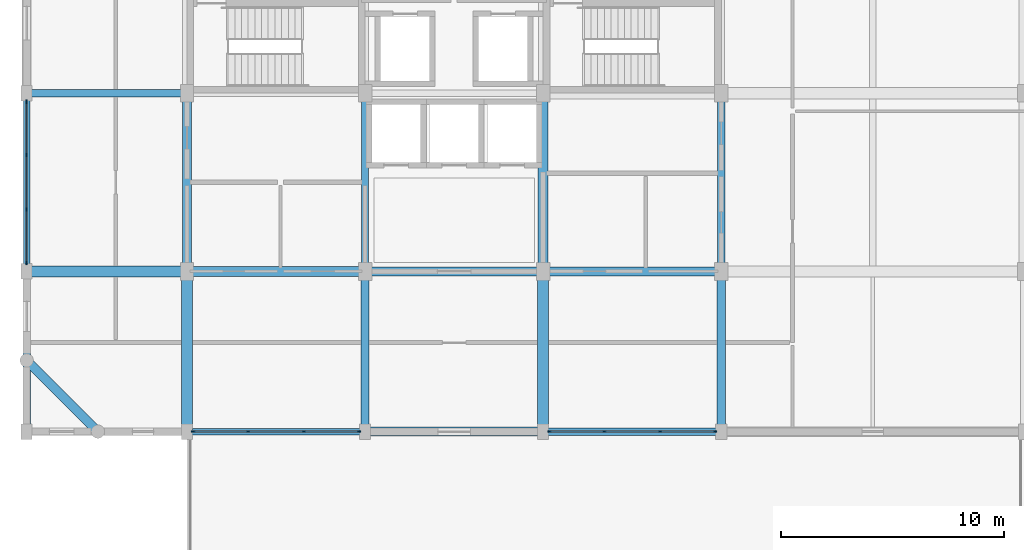
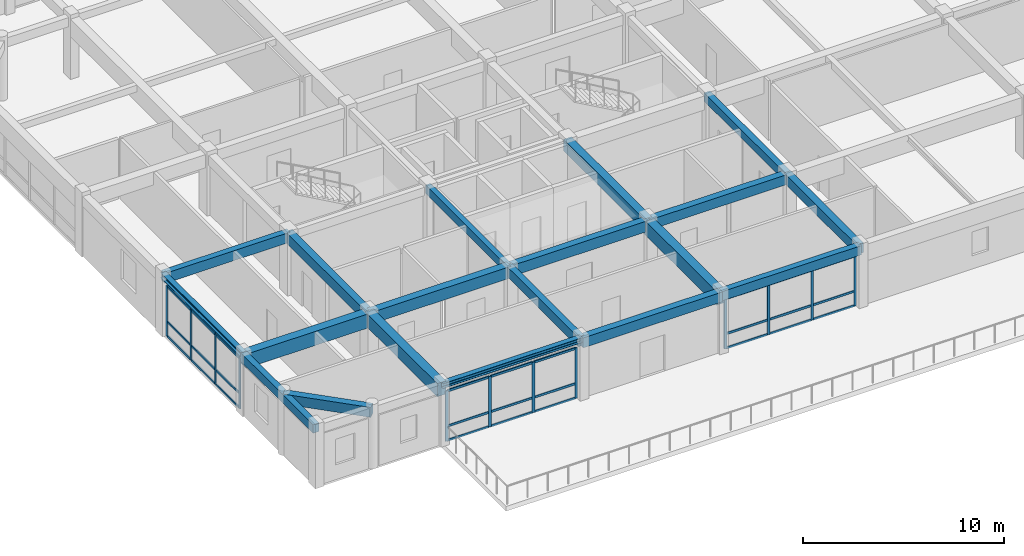
# One storey, part 2 of 13: 39 members, 19 beams, 3 elements without a shape of their own.
"""IFC4 building model written with IfcOpenShell, lengths in metres."""

from ifc_helpers import new_model, si_unit, direction, frame, origin, origin_2d, place, context, subcontext, project, spatial, rectangle, i_section, extrude, material, material_profile, profile_set, type_object, element, aggregate, save


model = new_model("IFC4")

# Units and contexts
model_context = context("Model", 3, precision=1e-05, world=origin(), true_north=direction((0.0, 1.0)))
body_context = subcontext(model_context, "Body", "Model", "MODEL_VIEW")
ifc_project = project(units=[si_unit("LENGTHUNIT", "METRE"), si_unit("AREAUNIT", "SQUARE_METRE"), si_unit("VOLUMEUNIT", "CUBIC_METRE"), si_unit("PLANEANGLEUNIT", "RADIAN"), si_unit("MASSUNIT", "GRAM", prefix="KILO")], contexts=[model_context])

# Site, building, storey
site_placement = place(None, origin())
site = spatial("IfcSite", under=ifc_project, at=site_placement, CompositionType="ELEMENT")
building_placement = place(site_placement, origin())
building = spatial("IfcBuilding", under=site, at=building_placement, Name="Vellmiral Cinema and Media Centre", CompositionType="ELEMENT")
storey_placement = place(building_placement, frame((0.0, 0.0, 50.89990234375)))
storey = spatial("IfcBuildingStorey", under=building, at=storey_placement, Name="L12", CompositionType="ELEMENT", Elevation=50.89990234375)

# Beams
ifc_material_1 = material(Name="Concrete C40/50", Category="concrete")
ifc_material_profile_1 = material_profile(ifc_material_1, rectangle(XDim=0.300048828125, YDim=0.5, at=origin_2d()), Name="RC 300x500")
ifc_profile_set_1 = profile_set([ifc_material_profile_1], Name="Concrete C40/50")
beam_type_1 = type_object("IfcBeamType", Name="BM-RC-300x500", PredefinedType="BEAM", material=ifc_profile_set_1)
beam_1_placement = place(storey_placement, frame((132.0, 79.199951171875, 3.405029296875), z_axis=(0.0, 1.0, 0.0), x_axis=(-1.0, 0.0, 0.0)))
element("IfcBeam", 1, at=beam_1_placement, inside=storey, type_object=beam_type_1, Name="Grid Beam L12-Y047", PredefinedType="BEAM", context=body_context, shape_type="SweptSolid", body=[
    extrude(rectangle(XDim=0.300048828125, YDim=0.5, at=origin_2d()), origin(), (0.0, 0.0, 1.0), 8.0),
])
ifc_material_2 = material(Name="Concrete C40/50", Category="concrete")
ifc_material_profile_2 = material_profile(ifc_material_2, rectangle(XDim=0.35009765625, YDim=0.5, at=origin_2d()), Name="RC 350x500")
ifc_profile_set_2 = profile_set([ifc_material_profile_2], Name="Concrete C40/50")
beam_type_2 = type_object("IfcBeamType", Name="BM-RC-350x500", PredefinedType="BEAM", material=ifc_profile_set_2)
beam_2_placement = place(storey_placement, frame((148.0, 79.199951171875, 3.405029296875), z_axis=(0.0, 1.0, 0.0), x_axis=(-1.0, 0.0, 0.0)))
element("IfcBeam", 2, at=beam_2_placement, inside=storey, type_object=beam_type_2, Name="Grid Beam L12-Y057", PredefinedType="BEAM", context=body_context, shape_type="SweptSolid", body=[
    extrude(rectangle(XDim=0.35009765625, YDim=0.5, at=origin_2d()), origin(), (0.0, 0.0, 1.0), 8.0),
])
ifc_material_3 = material(Name="Concrete C40/50", Category="concrete")
ifc_material_profile_3 = material_profile(ifc_material_3, rectangle(XDim=0.35009765625, YDim=0.60009765625, at=origin_2d()), Name="RC 350x600")
ifc_profile_set_3 = profile_set([ifc_material_profile_3], Name="Concrete C40/50")
beam_type_3 = type_object("IfcBeamType", Name="BM-RC-350x600", PredefinedType="BEAM", material=ifc_profile_set_3)
for number, where, z_axis, x_axis, name in (
    (3, (116.800048828125, 87.199951171875, 3.35498046875), (1.0, 0.0, 0.0), (0.0, 1.0, 0.0), "Grid Beam L12-X013"),
    (4, (132.0, 72.0, 3.35498046875), (0.0, 1.0, 0.0), (-1.0, 0.0, 0.0), "Grid Beam L12-Y046"),
):
    element("IfcBeam", number, at=place(storey_placement, frame(where, z_axis=z_axis, x_axis=x_axis)), inside=storey, type_object=beam_type_3, Name=name, PredefinedType="BEAM", context=body_context, shape_type="SweptSolid", body=[
        extrude(rectangle(XDim=0.35009765625, YDim=0.60009765625, at=origin_2d()), origin(), (0.0, 0.0, 1.0), 7.199951171875),
    ])
ifc_material_4 = material(Name="Concrete C40/50", Category="concrete")
ifc_material_profile_4 = material_profile(ifc_material_4, rectangle(XDim=0.39990234375, YDim=0.60009765625, at=origin_2d()), Name="RC 400x600")
ifc_profile_set_4 = profile_set([ifc_material_profile_4], Name="Concrete C40/50")
beam_type_4 = type_object("IfcBeamType", Name="BM-RC-400x600", PredefinedType="BEAM", material=ifc_profile_set_4)
beam_3_placement = place(storey_placement, frame((140.0, 79.199951171875, 3.35498046875), z_axis=(1.0, 0.0, 0.0), x_axis=(0.0, 1.0, 0.0)))
element("IfcBeam", 5, at=beam_3_placement, inside=storey, type_object=beam_type_4, Name="Grid Beam L12-X010", PredefinedType="BEAM", context=body_context, shape_type="SweptSolid", body=[
    extrude(rectangle(XDim=0.39990234375, YDim=0.60009765625, at=origin_2d()), origin(), (0.0, 0.0, 1.0), 8.0),
])
beam_4_placement = place(storey_placement, frame((148.0, 72.0, 3.35498046875), z_axis=(0.0, 1.0, 0.0), x_axis=(-1.0, 0.0, 0.0)))
element("IfcBeam", 6, at=beam_4_placement, inside=storey, type_object=beam_type_4, Name="Grid Beam L12-Y056", PredefinedType="BEAM", context=body_context, shape_type="SweptSolid", body=[
    extrude(rectangle(XDim=0.39990234375, YDim=0.60009765625, at=origin_2d()), origin(), (0.0, 0.0, 1.0), 7.199951171875),
])
ifc_material_5 = material(Name="Concrete C40/50", Category="concrete")
ifc_material_profile_5 = material_profile(ifc_material_5, rectangle(XDim=0.39990234375, YDim=0.64990234375, at=origin_2d()), Name="RC 400x650")
ifc_profile_set_5 = profile_set([ifc_material_profile_5], Name="Concrete C40/50")
beam_type_5 = type_object("IfcBeamType", Name="BM-RC-400x650", PredefinedType="BEAM", material=ifc_profile_set_5)
for number, where, z_axis, x_axis, name in (
    (7, (132.0, 79.199951171875, 3.330078125), (1.0, 0.0, 0.0), (0.0, 1.0, 0.0), "Grid Beam L12-X009"),
    (8, (124.0, 79.199951171875, 3.330078125), (0.0, 1.0, 0.0), (-1.0, 0.0, 0.0), "Grid Beam L12-Y042"),
):
    element("IfcBeam", number, at=place(storey_placement, frame(where, z_axis=z_axis, x_axis=x_axis)), inside=storey, type_object=beam_type_5, Name=name, PredefinedType="BEAM", context=body_context, shape_type="SweptSolid", body=[
        extrude(rectangle(XDim=0.39990234375, YDim=0.64990234375, at=origin_2d()), origin(), (0.0, 0.0, 1.0), 8.0),
    ])
ifc_material_6 = material(Name="Concrete C40/50", Category="concrete")
ifc_material_profile_6 = material_profile(ifc_material_6, rectangle(XDim=0.449951171875, YDim=0.699951171875, at=origin_2d()), Name="RC 450x700")
ifc_profile_set_6 = profile_set([ifc_material_profile_6], Name="Concrete C40/50")
beam_type_6 = type_object("IfcBeamType", Name="BM-RC-450x700", PredefinedType="BEAM", material=ifc_profile_set_6)
for number, where, z_axis, x_axis, name in (
    (9, (124.0, 79.199951171875, 3.30517578125), (1.0, 0.0, 0.0), (0.0, 1.0, 0.0), "Grid Beam L12-X008"),
    (10, (140.0, 79.199951171875, 3.30517578125), (0.0, 1.0, 0.0), (-1.0, 0.0, 0.0), "Grid Beam L12-Y052"),
):
    element("IfcBeam", number, at=place(storey_placement, frame(where, z_axis=z_axis, x_axis=x_axis)), inside=storey, type_object=beam_type_6, Name=name, PredefinedType="BEAM", context=body_context, shape_type="SweptSolid", body=[
        extrude(rectangle(XDim=0.449951171875, YDim=0.699951171875, at=origin_2d()), origin(), (0.0, 0.0, 1.0), 8.0),
    ])
ifc_material_7 = material(Name="Concrete C40/50", Category="concrete")
ifc_material_profile_7 = material_profile(ifc_material_7, rectangle(XDim=0.5, YDim=0.800048828125, at=origin_2d()), Name="RC 500x800")
ifc_profile_set_7 = profile_set([ifc_material_profile_7], Name="Concrete C40/50")
beam_type_7 = type_object("IfcBeamType", Name="BM-RC-500x800", PredefinedType="BEAM", material=ifc_profile_set_7)
beam_5_placement = place(storey_placement, frame((124.0, 72.0, 3.255126953125), z_axis=(0.0, 1.0, 0.0), x_axis=(-1.0, 0.0, 0.0)))
element("IfcBeam", 11, at=beam_5_placement, inside=storey, type_object=beam_type_7, Name="Grid Beam L12-Y041", PredefinedType="BEAM", context=body_context, shape_type="SweptSolid", body=[
    extrude(rectangle(XDim=0.5, YDim=0.800048828125, at=origin_2d()), origin(), (0.0, 0.0, 1.0), 7.199951171875),
])
ifc_material_8 = material(Name="Concrete C40/50", Category="concrete")
ifc_material_profile_8 = material_profile(ifc_material_8, rectangle(XDim=0.5, YDim=0.85009765625, at=origin_2d()), Name="RC 500x850")
ifc_profile_set_8 = profile_set([ifc_material_profile_8], Name="Concrete C40/50")
beam_type_8 = type_object("IfcBeamType", Name="BM-RC-500x850", PredefinedType="BEAM", material=ifc_profile_set_8)
for number, where, z_axis, x_axis, name in (
    (12, (116.800048828125, 79.199951171875, 3.22998046875), (1.0, 0.0, 0.0), (0.0, 1.0, 0.0), "Grid Beam L12-X007"),
    (13, (140.0, 72.0, 3.22998046875), (0.0, 1.0, 0.0), (-1.0, 0.0, 0.0), "Grid Beam L12-Y051"),
):
    element("IfcBeam", number, at=place(storey_placement, frame(where, z_axis=z_axis, x_axis=x_axis)), inside=storey, type_object=beam_type_8, Name=name, PredefinedType="BEAM", context=body_context, shape_type="SweptSolid", body=[
        extrude(rectangle(XDim=0.5, YDim=0.85009765625, at=origin_2d()), origin(), (0.0, 0.0, 1.0), 7.199951171875),
    ])

# Curtain wall, members
ifc_material_9 = material(Name="Thermally Broken Aluminium and Triple Glazing", Category="aluminium")
curtain_wall_type_1 = type_object("IfcCurtainWallType", Name="CW-TOWER-MID-E", PredefinedType="USERDEFINED", material=ifc_material_9)
curtain_wall_1_placement = place(storey_placement, origin())
curtain_wall_1 = element("IfcCurtainWall", 14, at=curtain_wall_1_placement, inside=storey, type_object=curtain_wall_type_1, Name="Curtain Wall L12-B003", ObjectType="UNITISED CURTAIN WALL", PredefinedType="USERDEFINED")
ifc_material_10 = material(Name="Thermally Broken Anodised Aluminium", Category="aluminium")
ifc_material_profile_9 = material_profile(ifc_material_10, rectangle(XDim=0.06494140625, YDim=0.159912109375, at=origin_2d()), Name="MULL 65x160")
ifc_profile_set_9 = profile_set([ifc_material_profile_9], Name="Thermally Broken Anodised Aluminium")
member_type_1 = type_object("IfcMemberType", Name="CWM-65x160", PredefinedType="MULLION", material=ifc_profile_set_9)
member_1_placement = place(storey_placement, frame((124.282470703125, 72.0, 0.0), z_axis=(0.0, 0.0, 1.0), x_axis=(0.0, 1.0, 0.0)))
member_1 = element("IfcMember", 15, at=member_1_placement, type_object=member_type_1, Name="CW-07 mullion 1", PredefinedType="MULLION", context=body_context, shape_type="SweptSolid", body=[
    extrude(rectangle(XDim=0.06494140625, YDim=0.159912109375, at=origin_2d()), origin(), (0.0, 0.0, 1.0), 3.06005859375),
])
member_2_placement = place(storey_placement, frame((126.75, 72.0, 0.0), z_axis=(0.0, 0.0, 1.0), x_axis=(0.0, 1.0, 0.0)))
member_2 = element("IfcMember", 16, at=member_2_placement, type_object=member_type_1, Name="CW-07 mullion 2", PredefinedType="MULLION", context=body_context, shape_type="SweptSolid", body=[
    extrude(rectangle(XDim=0.06494140625, YDim=0.159912109375, at=origin_2d()), origin(), (0.0, 0.0, 1.0), 3.06005859375),
])
member_3_placement = place(storey_placement, frame((129.25, 72.0, 0.0), z_axis=(0.0, 0.0, 1.0), x_axis=(0.0, 1.0, 0.0)))
member_3 = element("IfcMember", 17, at=member_3_placement, type_object=member_type_1, Name="CW-07 mullion 3", PredefinedType="MULLION", context=body_context, shape_type="SweptSolid", body=[
    extrude(rectangle(XDim=0.06494140625, YDim=0.159912109375, at=origin_2d()), origin(), (0.0, 0.0, 1.0), 3.06005859375),
])
member_4_placement = place(storey_placement, frame((131.717529296875, 72.0, 0.0), z_axis=(0.0, 0.0, 1.0), x_axis=(0.0, 1.0, 0.0)))
member_4 = element("IfcMember", 18, at=member_4_placement, type_object=member_type_1, Name="CW-07 mullion 4", PredefinedType="MULLION", context=body_context, shape_type="SweptSolid", body=[
    extrude(rectangle(XDim=0.06494140625, YDim=0.159912109375, at=origin_2d()), origin(), (0.0, 0.0, 1.0), 3.06005859375),
])

curtain_wall_2_placement = place(storey_placement, origin())
curtain_wall_2 = element("IfcCurtainWall", 19, at=curtain_wall_2_placement, inside=storey, type_object=curtain_wall_type_1, Name="Curtain Wall L12-B005", ObjectType="UNITISED CURTAIN WALL", PredefinedType="USERDEFINED")
member_5_placement = place(storey_placement, frame((140.282470703125, 72.0, 0.0), z_axis=(0.0, 0.0, 1.0), x_axis=(0.0, 1.0, 0.0)))
member_5 = element("IfcMember", 20, at=member_5_placement, type_object=member_type_1, Name="CW-07 mullion 1", PredefinedType="MULLION", context=body_context, shape_type="SweptSolid", body=[
    extrude(rectangle(XDim=0.06494140625, YDim=0.159912109375, at=origin_2d()), origin(), (0.0, 0.0, 1.0), 3.06005859375),
])
member_6_placement = place(storey_placement, frame((142.75, 72.0, 0.0), z_axis=(0.0, 0.0, 1.0), x_axis=(0.0, 1.0, 0.0)))
member_6 = element("IfcMember", 21, at=member_6_placement, type_object=member_type_1, Name="CW-07 mullion 2", PredefinedType="MULLION", context=body_context, shape_type="SweptSolid", body=[
    extrude(rectangle(XDim=0.06494140625, YDim=0.159912109375, at=origin_2d()), origin(), (0.0, 0.0, 1.0), 3.06005859375),
])
member_7_placement = place(storey_placement, frame((145.25, 72.0, 0.0), z_axis=(0.0, 0.0, 1.0), x_axis=(0.0, 1.0, 0.0)))
member_7 = element("IfcMember", 22, at=member_7_placement, type_object=member_type_1, Name="CW-07 mullion 3", PredefinedType="MULLION", context=body_context, shape_type="SweptSolid", body=[
    extrude(rectangle(XDim=0.06494140625, YDim=0.159912109375, at=origin_2d()), origin(), (0.0, 0.0, 1.0), 3.06005859375),
])
member_8_placement = place(storey_placement, frame((147.717529296875, 72.0, 0.0), z_axis=(0.0, 0.0, 1.0), x_axis=(0.0, 1.0, 0.0)))
member_8 = element("IfcMember", 23, at=member_8_placement, type_object=member_type_1, Name="CW-07 mullion 4", PredefinedType="MULLION", context=body_context, shape_type="SweptSolid", body=[
    extrude(rectangle(XDim=0.06494140625, YDim=0.159912109375, at=origin_2d()), origin(), (0.0, 0.0, 1.0), 3.06005859375),
])

ifc_material_11 = material(Name="Thermally Broken Aluminium and Triple Glazing", Category="aluminium")
curtain_wall_type_2 = type_object("IfcCurtainWallType", Name="CW-TOWER-MID-W", PredefinedType="USERDEFINED", material=ifc_material_11)
curtain_wall_3_placement = place(storey_placement, origin())
curtain_wall_3 = element("IfcCurtainWall", 24, at=curtain_wall_3_placement, inside=storey, type_object=curtain_wall_type_2, Name="Curtain Wall L12-B027", ObjectType="UNITISED CURTAIN WALL", PredefinedType="USERDEFINED")
member_9_placement = place(storey_placement, frame((116.800048828125, 86.8173828125, 0.0), z_axis=(0.0, 0.0, 1.0), x_axis=(1.0, 0.0, 0.0)))
member_9 = element("IfcMember", 25, at=member_9_placement, type_object=member_type_1, Name="CW-08 mullion 1", PredefinedType="MULLION", context=body_context, shape_type="SweptSolid", body=[
    extrude(rectangle(XDim=0.06494140625, YDim=0.159912109375, at=origin_2d()), origin(), (0.0, 0.0, 1.0), 3.06005859375),
])
member_10_placement = place(storey_placement, frame((116.800048828125, 84.416748046875, 0.0), z_axis=(0.0, 0.0, 1.0), x_axis=(1.0, 0.0, 0.0)))
member_10 = element("IfcMember", 26, at=member_10_placement, type_object=member_type_1, Name="CW-08 mullion 2", PredefinedType="MULLION", context=body_context, shape_type="SweptSolid", body=[
    extrude(rectangle(XDim=0.06494140625, YDim=0.159912109375, at=origin_2d()), origin(), (0.0, 0.0, 1.0), 3.06005859375),
])
member_11_placement = place(storey_placement, frame((116.800048828125, 81.9833984375, 0.0), z_axis=(0.0, 0.0, 1.0), x_axis=(1.0, 0.0, 0.0)))
member_11 = element("IfcMember", 27, at=member_11_placement, type_object=member_type_1, Name="CW-08 mullion 3", PredefinedType="MULLION", context=body_context, shape_type="SweptSolid", body=[
    extrude(rectangle(XDim=0.06494140625, YDim=0.159912109375, at=origin_2d()), origin(), (0.0, 0.0, 1.0), 3.06005859375),
])
member_12_placement = place(storey_placement, frame((116.800048828125, 79.58251953125, 0.0), z_axis=(0.0, 0.0, 1.0), x_axis=(1.0, 0.0, 0.0)))
member_12 = element("IfcMember", 28, at=member_12_placement, type_object=member_type_1, Name="CW-08 mullion 4", PredefinedType="MULLION", context=body_context, shape_type="SweptSolid", body=[
    extrude(rectangle(XDim=0.06494140625, YDim=0.159912109375, at=origin_2d()), origin(), (0.0, 0.0, 1.0), 3.06005859375),
])

# Member
ifc_material_12 = material(Name="Thermally Broken Anodised Aluminium", Category="aluminium")
ifc_material_profile_10 = material_profile(ifc_material_12, rectangle(XDim=0.06494140625, YDim=0.135009765625, at=origin_2d()), Name="MULL 65x135")
ifc_profile_set_10 = profile_set([ifc_material_profile_10], Name="Thermally Broken Anodised Aluminium")
member_type_2 = type_object("IfcMemberType", Name="CWT-65x135", PredefinedType="USERDEFINED", material=ifc_profile_set_10)
member_13_placement = place(storey_placement, frame((124.31494140625, 72.0, 0.03271484375), z_axis=(1.0, 0.0, 0.0), x_axis=(0.0, 1.0, 0.0)))
member_13 = element("IfcMember", 29, at=member_13_placement, type_object=member_type_2, Name="CW-07 transom 1.1", ObjectType="TRANSOM", PredefinedType="USERDEFINED", context=body_context, shape_type="SweptSolid", body=[
    extrude(rectangle(XDim=0.06494140625, YDim=0.135009765625, at=origin_2d()), origin(), (0.0, 0.0, 1.0), 2.402587890625),
])

member_14_placement = place(storey_placement, frame((124.31494140625, 72.0, 0.900146484375), z_axis=(1.0, 0.0, 0.0), x_axis=(0.0, 1.0, 0.0)))
member_14 = element("IfcMember", 30, at=member_14_placement, type_object=member_type_2, Name="CW-07 transom 1.2", ObjectType="TRANSOM", PredefinedType="USERDEFINED", context=body_context, shape_type="SweptSolid", body=[
    extrude(rectangle(XDim=0.06494140625, YDim=0.135009765625, at=origin_2d()), origin(), (0.0, 0.0, 1.0), 2.402587890625),
])

member_15_placement = place(storey_placement, frame((124.31494140625, 72.0, 3.027587890625), z_axis=(1.0, 0.0, 0.0), x_axis=(0.0, 1.0, 0.0)))
member_15 = element("IfcMember", 31, at=member_15_placement, type_object=member_type_2, Name="CW-07 transom 1.3", ObjectType="TRANSOM", PredefinedType="USERDEFINED", context=body_context, shape_type="SweptSolid", body=[
    extrude(rectangle(XDim=0.06494140625, YDim=0.135009765625, at=origin_2d()), origin(), (0.0, 0.0, 1.0), 2.402587890625),
])

member_16_placement = place(storey_placement, frame((126.782470703125, 72.0, 0.03271484375), z_axis=(1.0, 0.0, 0.0), x_axis=(0.0, 1.0, 0.0)))
member_16 = element("IfcMember", 32, at=member_16_placement, type_object=member_type_2, Name="CW-07 transom 2.1", ObjectType="TRANSOM", PredefinedType="USERDEFINED", context=body_context, shape_type="SweptSolid", body=[
    extrude(rectangle(XDim=0.06494140625, YDim=0.135009765625, at=origin_2d()), origin(), (0.0, 0.0, 1.0), 2.43505859375),
])

member_17_placement = place(storey_placement, frame((126.782470703125, 72.0, 0.900146484375), z_axis=(1.0, 0.0, 0.0), x_axis=(0.0, 1.0, 0.0)))
member_17 = element("IfcMember", 33, at=member_17_placement, type_object=member_type_2, Name="CW-07 transom 2.2", ObjectType="TRANSOM", PredefinedType="USERDEFINED", context=body_context, shape_type="SweptSolid", body=[
    extrude(rectangle(XDim=0.06494140625, YDim=0.135009765625, at=origin_2d()), origin(), (0.0, 0.0, 1.0), 2.43505859375),
])

member_18_placement = place(storey_placement, frame((126.782470703125, 72.0, 3.027587890625), z_axis=(1.0, 0.0, 0.0), x_axis=(0.0, 1.0, 0.0)))
member_18 = element("IfcMember", 34, at=member_18_placement, type_object=member_type_2, Name="CW-07 transom 2.3", ObjectType="TRANSOM", PredefinedType="USERDEFINED", context=body_context, shape_type="SweptSolid", body=[
    extrude(rectangle(XDim=0.06494140625, YDim=0.135009765625, at=origin_2d()), origin(), (0.0, 0.0, 1.0), 2.43505859375),
])

member_19_placement = place(storey_placement, frame((129.282470703125, 72.0, 0.03271484375), z_axis=(1.0, 0.0, 0.0), x_axis=(0.0, 1.0, 0.0)))
member_19 = element("IfcMember", 35, at=member_19_placement, type_object=member_type_2, Name="CW-07 transom 3.1", ObjectType="TRANSOM", PredefinedType="USERDEFINED", context=body_context, shape_type="SweptSolid", body=[
    extrude(rectangle(XDim=0.06494140625, YDim=0.135009765625, at=origin_2d()), origin(), (0.0, 0.0, 1.0), 2.402587890625),
])

member_20_placement = place(storey_placement, frame((129.282470703125, 72.0, 0.900146484375), z_axis=(1.0, 0.0, 0.0), x_axis=(0.0, 1.0, 0.0)))
member_20 = element("IfcMember", 36, at=member_20_placement, type_object=member_type_2, Name="CW-07 transom 3.2", ObjectType="TRANSOM", PredefinedType="USERDEFINED", context=body_context, shape_type="SweptSolid", body=[
    extrude(rectangle(XDim=0.06494140625, YDim=0.135009765625, at=origin_2d()), origin(), (0.0, 0.0, 1.0), 2.402587890625),
])

member_21_placement = place(storey_placement, frame((129.282470703125, 72.0, 3.027587890625), z_axis=(1.0, 0.0, 0.0), x_axis=(0.0, 1.0, 0.0)))
member_21 = element("IfcMember", 37, at=member_21_placement, type_object=member_type_2, Name="CW-07 transom 3.3", ObjectType="TRANSOM", PredefinedType="USERDEFINED", context=body_context, shape_type="SweptSolid", body=[
    extrude(rectangle(XDim=0.06494140625, YDim=0.135009765625, at=origin_2d()), origin(), (0.0, 0.0, 1.0), 2.402587890625),
])

aggregate(curtain_wall_1, [member_1, member_2, member_3, member_4, member_13, member_14, member_15, member_16, member_17, member_18, member_19, member_20, member_21])

member_22_placement = place(storey_placement, frame((140.31494140625, 72.0, 0.03271484375), z_axis=(1.0, 0.0, 0.0), x_axis=(0.0, 1.0, 0.0)))
member_22 = element("IfcMember", 38, at=member_22_placement, type_object=member_type_2, Name="CW-07 transom 1.1", ObjectType="TRANSOM", PredefinedType="USERDEFINED", context=body_context, shape_type="SweptSolid", body=[
    extrude(rectangle(XDim=0.06494140625, YDim=0.135009765625, at=origin_2d()), origin(), (0.0, 0.0, 1.0), 2.402587890625),
])

member_23_placement = place(storey_placement, frame((140.31494140625, 72.0, 0.900146484375), z_axis=(1.0, 0.0, 0.0), x_axis=(0.0, 1.0, 0.0)))
member_23 = element("IfcMember", 39, at=member_23_placement, type_object=member_type_2, Name="CW-07 transom 1.2", ObjectType="TRANSOM", PredefinedType="USERDEFINED", context=body_context, shape_type="SweptSolid", body=[
    extrude(rectangle(XDim=0.06494140625, YDim=0.135009765625, at=origin_2d()), origin(), (0.0, 0.0, 1.0), 2.402587890625),
])

member_24_placement = place(storey_placement, frame((140.31494140625, 72.0, 3.027587890625), z_axis=(1.0, 0.0, 0.0), x_axis=(0.0, 1.0, 0.0)))
member_24 = element("IfcMember", 40, at=member_24_placement, type_object=member_type_2, Name="CW-07 transom 1.3", ObjectType="TRANSOM", PredefinedType="USERDEFINED", context=body_context, shape_type="SweptSolid", body=[
    extrude(rectangle(XDim=0.06494140625, YDim=0.135009765625, at=origin_2d()), origin(), (0.0, 0.0, 1.0), 2.402587890625),
])

member_25_placement = place(storey_placement, frame((142.782470703125, 72.0, 0.03271484375), z_axis=(1.0, 0.0, 0.0), x_axis=(0.0, 1.0, 0.0)))
member_25 = element("IfcMember", 41, at=member_25_placement, type_object=member_type_2, Name="CW-07 transom 2.1", ObjectType="TRANSOM", PredefinedType="USERDEFINED", context=body_context, shape_type="SweptSolid", body=[
    extrude(rectangle(XDim=0.06494140625, YDim=0.135009765625, at=origin_2d()), origin(), (0.0, 0.0, 1.0), 2.43505859375),
])

member_26_placement = place(storey_placement, frame((142.782470703125, 72.0, 0.900146484375), z_axis=(1.0, 0.0, 0.0), x_axis=(0.0, 1.0, 0.0)))
member_26 = element("IfcMember", 42, at=member_26_placement, type_object=member_type_2, Name="CW-07 transom 2.2", ObjectType="TRANSOM", PredefinedType="USERDEFINED", context=body_context, shape_type="SweptSolid", body=[
    extrude(rectangle(XDim=0.06494140625, YDim=0.135009765625, at=origin_2d()), origin(), (0.0, 0.0, 1.0), 2.43505859375),
])

member_27_placement = place(storey_placement, frame((142.782470703125, 72.0, 3.027587890625), z_axis=(1.0, 0.0, 0.0), x_axis=(0.0, 1.0, 0.0)))
member_27 = element("IfcMember", 43, at=member_27_placement, type_object=member_type_2, Name="CW-07 transom 2.3", ObjectType="TRANSOM", PredefinedType="USERDEFINED", context=body_context, shape_type="SweptSolid", body=[
    extrude(rectangle(XDim=0.06494140625, YDim=0.135009765625, at=origin_2d()), origin(), (0.0, 0.0, 1.0), 2.43505859375),
])

member_28_placement = place(storey_placement, frame((145.282470703125, 72.0, 0.03271484375), z_axis=(1.0, 0.0, 0.0), x_axis=(0.0, 1.0, 0.0)))
member_28 = element("IfcMember", 44, at=member_28_placement, type_object=member_type_2, Name="CW-07 transom 3.1", ObjectType="TRANSOM", PredefinedType="USERDEFINED", context=body_context, shape_type="SweptSolid", body=[
    extrude(rectangle(XDim=0.06494140625, YDim=0.135009765625, at=origin_2d()), origin(), (0.0, 0.0, 1.0), 2.402587890625),
])

member_29_placement = place(storey_placement, frame((145.282470703125, 72.0, 0.900146484375), z_axis=(1.0, 0.0, 0.0), x_axis=(0.0, 1.0, 0.0)))
member_29 = element("IfcMember", 45, at=member_29_placement, type_object=member_type_2, Name="CW-07 transom 3.2", ObjectType="TRANSOM", PredefinedType="USERDEFINED", context=body_context, shape_type="SweptSolid", body=[
    extrude(rectangle(XDim=0.06494140625, YDim=0.135009765625, at=origin_2d()), origin(), (0.0, 0.0, 1.0), 2.402587890625),
])

member_30_placement = place(storey_placement, frame((145.282470703125, 72.0, 3.027587890625), z_axis=(1.0, 0.0, 0.0), x_axis=(0.0, 1.0, 0.0)))
member_30 = element("IfcMember", 46, at=member_30_placement, type_object=member_type_2, Name="CW-07 transom 3.3", ObjectType="TRANSOM", PredefinedType="USERDEFINED", context=body_context, shape_type="SweptSolid", body=[
    extrude(rectangle(XDim=0.06494140625, YDim=0.135009765625, at=origin_2d()), origin(), (0.0, 0.0, 1.0), 2.402587890625),
])

aggregate(curtain_wall_2, [member_5, member_6, member_7, member_8, member_22, member_23, member_24, member_25, member_26, member_27, member_28, member_29, member_30])

member_31_placement = place(storey_placement, frame((116.800048828125, 86.784912109375, 0.03271484375), z_axis=(0.0, -1.0, 0.0), x_axis=(1.0, 0.0, 0.0)))
member_31 = element("IfcMember", 47, at=member_31_placement, type_object=member_type_2, Name="CW-08 transom 1.1", ObjectType="TRANSOM", PredefinedType="USERDEFINED", context=body_context, shape_type="SweptSolid", body=[
    extrude(rectangle(XDim=0.06494140625, YDim=0.135009765625, at=origin_2d()), origin(), (0.0, 0.0, 1.0), 2.335693359375),
])

member_32_placement = place(storey_placement, frame((116.800048828125, 86.784912109375, 0.900146484375), z_axis=(0.0, -1.0, 0.0), x_axis=(1.0, 0.0, 0.0)))
member_32 = element("IfcMember", 48, at=member_32_placement, type_object=member_type_2, Name="CW-08 transom 1.2", ObjectType="TRANSOM", PredefinedType="USERDEFINED", context=body_context, shape_type="SweptSolid", body=[
    extrude(rectangle(XDim=0.06494140625, YDim=0.135009765625, at=origin_2d()), origin(), (0.0, 0.0, 1.0), 2.335693359375),
])

member_33_placement = place(storey_placement, frame((116.800048828125, 86.784912109375, 3.027587890625), z_axis=(0.0, -1.0, 0.0), x_axis=(1.0, 0.0, 0.0)))
member_33 = element("IfcMember", 49, at=member_33_placement, type_object=member_type_2, Name="CW-08 transom 1.3", ObjectType="TRANSOM", PredefinedType="USERDEFINED", context=body_context, shape_type="SweptSolid", body=[
    extrude(rectangle(XDim=0.06494140625, YDim=0.135009765625, at=origin_2d()), origin(), (0.0, 0.0, 1.0), 2.335693359375),
])

member_34_placement = place(storey_placement, frame((116.800048828125, 84.38427734375, 0.03271484375), z_axis=(0.0, -1.0, 0.0), x_axis=(1.0, 0.0, 0.0)))
member_34 = element("IfcMember", 50, at=member_34_placement, type_object=member_type_2, Name="CW-08 transom 2.1", ObjectType="TRANSOM", PredefinedType="USERDEFINED", context=body_context, shape_type="SweptSolid", body=[
    extrude(rectangle(XDim=0.06494140625, YDim=0.135009765625, at=origin_2d()), origin(), (0.0, 0.0, 1.0), 2.368408203125),
])

member_35_placement = place(storey_placement, frame((116.800048828125, 84.38427734375, 0.900146484375), z_axis=(0.0, -1.0, 0.0), x_axis=(1.0, 0.0, 0.0)))
member_35 = element("IfcMember", 51, at=member_35_placement, type_object=member_type_2, Name="CW-08 transom 2.2", ObjectType="TRANSOM", PredefinedType="USERDEFINED", context=body_context, shape_type="SweptSolid", body=[
    extrude(rectangle(XDim=0.06494140625, YDim=0.135009765625, at=origin_2d()), origin(), (0.0, 0.0, 1.0), 2.368408203125),
])

member_36_placement = place(storey_placement, frame((116.800048828125, 84.38427734375, 3.027587890625), z_axis=(0.0, -1.0, 0.0), x_axis=(1.0, 0.0, 0.0)))
member_36 = element("IfcMember", 52, at=member_36_placement, type_object=member_type_2, Name="CW-08 transom 2.3", ObjectType="TRANSOM", PredefinedType="USERDEFINED", context=body_context, shape_type="SweptSolid", body=[
    extrude(rectangle(XDim=0.06494140625, YDim=0.135009765625, at=origin_2d()), origin(), (0.0, 0.0, 1.0), 2.368408203125),
])

member_37_placement = place(storey_placement, frame((116.800048828125, 81.950927734375, 0.03271484375), z_axis=(0.0, -1.0, 0.0), x_axis=(1.0, 0.0, 0.0)))
member_37 = element("IfcMember", 53, at=member_37_placement, type_object=member_type_2, Name="CW-08 transom 3.1", ObjectType="TRANSOM", PredefinedType="USERDEFINED", context=body_context, shape_type="SweptSolid", body=[
    extrude(rectangle(XDim=0.06494140625, YDim=0.135009765625, at=origin_2d()), origin(), (0.0, 0.0, 1.0), 2.3359375),
])

member_38_placement = place(storey_placement, frame((116.800048828125, 81.950927734375, 0.900146484375), z_axis=(0.0, -1.0, 0.0), x_axis=(1.0, 0.0, 0.0)))
member_38 = element("IfcMember", 54, at=member_38_placement, type_object=member_type_2, Name="CW-08 transom 3.2", ObjectType="TRANSOM", PredefinedType="USERDEFINED", context=body_context, shape_type="SweptSolid", body=[
    extrude(rectangle(XDim=0.06494140625, YDim=0.135009765625, at=origin_2d()), origin(), (0.0, 0.0, 1.0), 2.3359375),
])

member_39_placement = place(storey_placement, frame((116.800048828125, 81.950927734375, 3.027587890625), z_axis=(0.0, -1.0, 0.0), x_axis=(1.0, 0.0, 0.0)))
member_39 = element("IfcMember", 55, at=member_39_placement, type_object=member_type_2, Name="CW-08 transom 3.3", ObjectType="TRANSOM", PredefinedType="USERDEFINED", context=body_context, shape_type="SweptSolid", body=[
    extrude(rectangle(XDim=0.06494140625, YDim=0.135009765625, at=origin_2d()), origin(), (0.0, 0.0, 1.0), 2.3359375),
])

aggregate(curtain_wall_3, [member_9, member_10, member_11, member_12, member_31, member_32, member_33, member_34, member_35, member_36, member_37, member_38, member_39])

# Beams
ifc_material_13 = material(Name="Steel S355", Category="steel")
ifc_material_profile_11 = material_profile(ifc_material_13, i_section(OverallWidth=0.300048828125, OverallDepth=0.300048828125, WebThickness=0.010986328125, FlangeThickness=0.01904296875, FilletRadius=0.027099609375, at=origin_2d()), Name="HEB 300")
ifc_profile_set_11 = profile_set([ifc_material_profile_11], Name="Steel S355")
beam_type_9 = type_object("IfcBeamType", Name="SBM-HEB300", PredefinedType="SPANDREL", material=ifc_profile_set_11)
for number, where, z_axis, x_axis, name in (
    (56, (124.0, 72.0, 3.505126953125), (1.0, 0.0, 0.0), (0.0, 1.0, 0.0), "Grid Beam L12-X002"),
    (57, (116.800048828125, 79.199951171875, 3.505126953125), (0.0, 1.0, 0.0), (-1.0, 0.0, 0.0), "Grid Beam L12-Y037"),
):
    element("IfcBeam", number, at=place(storey_placement, frame(where, z_axis=z_axis, x_axis=x_axis)), inside=storey, type_object=beam_type_9, Name=name, PredefinedType="SPANDREL", context=body_context, shape_type="SweptSolid", body=[
        extrude(i_section(OverallWidth=0.300048828125, OverallDepth=0.300048828125, WebThickness=0.010986328125, FlangeThickness=0.01904296875, FilletRadius=0.027099609375, at=origin_2d()), origin(), (0.0, 0.0, 1.0), 8.0),
    ])
ifc_material_14 = material(Name="Concrete C40/50", Category="concrete")
ifc_material_profile_12 = material_profile(ifc_material_14, rectangle(XDim=0.35009765625, YDim=0.56005859375, at=origin_2d()), Name="RC 350x560")
ifc_profile_set_12 = profile_set([ifc_material_profile_12], Name="Concrete C40/50")
beam_type_10 = type_object("IfcBeamType", Name="SPD-RC-350x560", PredefinedType="SPANDREL", material=ifc_profile_set_12)
beam_6_placement = place(storey_placement, frame((140.0, 72.0, 3.375), z_axis=(1.0, 0.0, 0.0), x_axis=(0.0, 1.0, 0.0)))
element("IfcBeam", 58, at=beam_6_placement, inside=storey, type_object=beam_type_10, Name="Grid Beam L12-X004", PredefinedType="SPANDREL", context=body_context, shape_type="SweptSolid", body=[
    extrude(rectangle(XDim=0.35009765625, YDim=0.56005859375, at=origin_2d()), origin(), (0.0, 0.0, 1.0), 8.0),
])
ifc_material_15 = material(Name="Concrete C40/50", Category="concrete")
ifc_material_profile_13 = material_profile(ifc_material_15, rectangle(XDim=0.39990234375, YDim=0.60009765625, at=origin_2d()), Name="RC 400x600")
ifc_profile_set_13 = profile_set([ifc_material_profile_13], Name="Concrete C40/50")
beam_type_11 = type_object("IfcBeamType", Name="SPD-RC-400x600", PredefinedType="SPANDREL", material=ifc_profile_set_13)
beam_7_placement = place(storey_placement, frame((132.0, 72.0, 3.35498046875), z_axis=(1.0, 0.0, 0.0), x_axis=(0.0, 1.0, 0.0)))
element("IfcBeam", 59, at=beam_7_placement, inside=storey, type_object=beam_type_11, Name="Grid Beam L12-X003", PredefinedType="SPANDREL", context=body_context, shape_type="SweptSolid", body=[
    extrude(rectangle(XDim=0.39990234375, YDim=0.60009765625, at=origin_2d()), origin(), (0.0, 0.0, 1.0), 8.0),
])
beam_8_placement = place(storey_placement, frame((116.800048828125, 75.199951171875, 3.35498046875), z_axis=(0.707106781187, -0.707106781187, 0.0), x_axis=(0.707106781187, 0.707106781187, 0.0)))
element("IfcBeam", 60, at=beam_8_placement, inside=storey, type_object=beam_type_11, Name="Xamfra Chamfer Spandrel Beam L12-070", PredefinedType="SPANDREL", context=body_context, shape_type="SweptSolid", body=[
    extrude(rectangle(XDim=0.39990234375, YDim=0.60009765625, at=origin_2d()), origin(), (0.0, 0.0, 1.0), 4.525390625),
])
ifc_material_16 = material(Name="Vosges Red Sandstone Masonry", Category="masonry")
ifc_material_profile_14 = material_profile(ifc_material_16, rectangle(XDim=0.340087890625, YDim=0.52001953125, at=origin_2d()), Name="SAND 340x520")
ifc_profile_set_14 = profile_set([ifc_material_profile_14], Name="Vosges Red Sandstone Masonry")
beam_type_12 = type_object("IfcBeamType", Name="SPD-SAND-340x520", PredefinedType="SPANDREL", material=ifc_profile_set_14)
beam_9_placement = place(storey_placement, frame((116.800048828125, 72.0, 3.39501953125), z_axis=(0.0, 1.0, 0.0), x_axis=(-1.0, 0.0, 0.0)))
element("IfcBeam", 61, at=beam_9_placement, inside=storey, type_object=beam_type_12, Name="Grid Beam L12-Y036", PredefinedType="SPANDREL", context=body_context, shape_type="SweptSolid", body=[
    extrude(rectangle(XDim=0.340087890625, YDim=0.52001953125, at=origin_2d()), origin(), (0.0, 0.0, 1.0), 7.199951171875),
])

save(model, "model.ifc")
